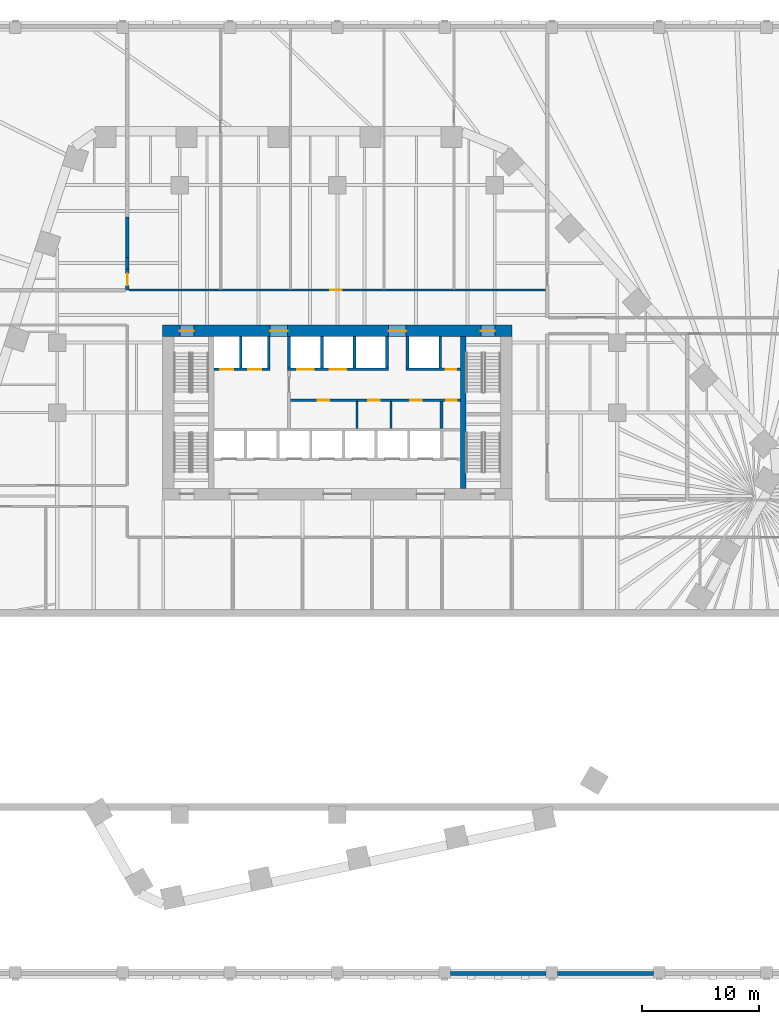
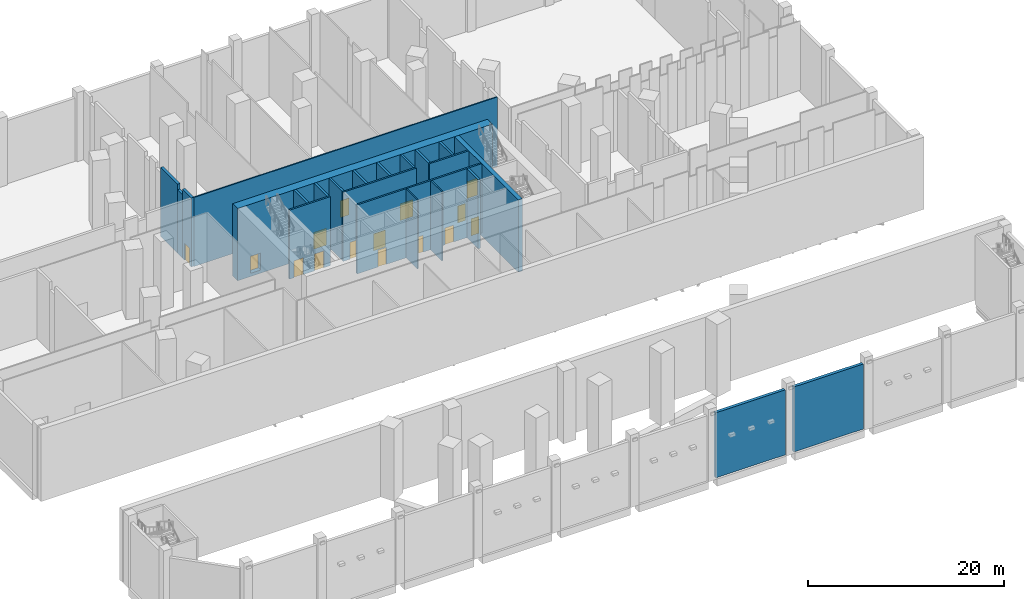
# One storey, part 8 of 23: 23 walls, 15 doors, 15 openings.
"""IFC4 building model written with IfcOpenShell, lengths in metres."""

from ifc_helpers import new_model, si_unit, direction, frame, frame_2d, origin, place, context, subcontext, project, spatial, rectangle, extrude, material, layer, layer_set, type_object, element, fill, save


model = new_model("IFC4")

# Units and contexts
model_context = context("Model", 3, precision=1e-05, world=origin(), true_north=direction((0.0, 1.0)))
body_context = subcontext(model_context, "Body", "Model", "MODEL_VIEW")
ifc_project = project(units=[si_unit("LENGTHUNIT", "METRE"), si_unit("AREAUNIT", "SQUARE_METRE"), si_unit("VOLUMEUNIT", "CUBIC_METRE"), si_unit("PLANEANGLEUNIT", "RADIAN"), si_unit("MASSUNIT", "GRAM", prefix="KILO")], contexts=[model_context])

# Site, building, storey
site_placement = place(None, origin())
site = spatial("IfcSite", under=ifc_project, at=site_placement, CompositionType="ELEMENT")
building_placement = place(site_placement, origin())
building = spatial("IfcBuilding", under=site, at=building_placement, Name="Isthmus Gate Tower", CompositionType="ELEMENT")
storey_placement = place(building_placement, frame((0.0, 0.0, 9.0)))
storey = spatial("IfcBuildingStorey", under=building, at=storey_placement, Name="L01", CompositionType="ELEMENT", Elevation=9.0)

# Wall, opening, door
ifc_material_1 = material(Name="Double-leaf gypsum board with mineral wool, resilient mounted")
ifc_layer_1 = layer(ifc_material_1, 0.300048828125)
ifc_layer_set_1 = layer_set([ifc_layer_1], Name="Acoustic studio wall 300 double leaf")
wall_type_1 = type_object("IfcWallType", Name="Acoustic studio wall 300 double leaf", PredefinedType="PARTITIONING", material=ifc_layer_set_1)
wall_1_placement = place(storey_placement, frame((-18.0, 18.0, 0.0), z_axis=(0.0, 0.0, 1.0), x_axis=(0.0, 1.0, 0.0)))
wall_1 = element("IfcWall", 1, at=wall_1_placement, inside=storey, type_object=wall_type_1, Name="Acoustic studio wall", PredefinedType="PARTITIONING", context=body_context, shape_type="SweptSolid", body=[
    extrude(rectangle(XDim=1.80712890625, YDim=0.300048828125, at=frame_2d((0.903564453125, 0.0))), origin(), (0.0, 0.0, 1.0), 8.60009765625),
])
opening_1_placement = place(wall_1_placement, frame((0.39990234375, 0.0, 0.0)))
opening_1 = element("IfcOpeningElement", 2, at=opening_1_placement, cuts=wall_1, Name="Opening DP01-07", PredefinedType="OPENING", context=body_context, shape_type="SweptSolid", body=[
    extrude(rectangle(XDim=1.0, YDim=2.10009765625, at=frame_2d((0.5, 1.050048828125))), frame((0.0, 0.159912109375, 0.0), z_axis=(0.0, -1.0, 0.0), x_axis=(1.0, 0.0, 0.0)), (0.0, 0.0, 1.0), 0.320068359375),
])
ifc_material_2 = material(Name="Acoustic steel door with perimeter seals", Category="steel")
door_type_1 = type_object("IfcDoorType", Name="Acoustic sound lock door 1000 x 2100", OperationType="SINGLE_SWING_LEFT", PredefinedType="DOOR", material=ifc_material_2)
door_1_placement = place(opening_1_placement, origin())
door_1 = element("IfcDoor", 3, at=door_1_placement, inside=storey, type_object=door_type_1, Name="Door DP01-07", OperationType="SINGLE_SWING_LEFT", OverallHeight=2.10009765625, OverallWidth=1.0, PredefinedType="DOOR", context=body_context, shape_type="SweptSolid", body=[
    extrude(rectangle(XDim=1.0, YDim=2.10009765625, at=frame_2d((0.5, 1.050048828125))), frame((0.0, 0.02490234375, 0.0), z_axis=(0.0, -1.0, 0.0), x_axis=(1.0, 0.0, 0.0)), (0.0, 0.0, 1.0), 0.050048828125),
])
fill(opening_1, door_1)

# Walls
wall_2_placement = place(storey_placement, frame((-18.0, 19.80712890625, 0.0), z_axis=(0.0, 0.0, 1.0), x_axis=(0.0, 1.0, 0.0)))
element("IfcWall", 4, at=wall_2_placement, inside=storey, type_object=wall_type_1, Name="Acoustic studio wall", PredefinedType="PARTITIONING", context=body_context, shape_type="SweptSolid", body=[
    extrude(rectangle(XDim=1.0, YDim=0.300048828125, at=frame_2d((0.5, 0.0))), origin(), (0.0, 0.0, 1.0), 7.920654296875),
])
wall_3_placement = place(storey_placement, frame((-18.0, 20.80712890625, 0.0), z_axis=(0.0, 0.0, 1.0), x_axis=(0.0, 1.0, 0.0)))
element("IfcWall", 5, at=wall_3_placement, inside=storey, type_object=wall_type_1, Name="Acoustic studio wall", PredefinedType="PARTITIONING", context=body_context, shape_type="SweptSolid", body=[
    extrude(rectangle(XDim=3.4619140625, YDim=0.300048828125, at=frame_2d((1.73095703125, 0.0))), origin(), (0.0, 0.0, 1.0), 8.60009765625),
])
ifc_material_3 = material(Name="Precast concrete C40/50, limestone-faced", Category="masonry")
ifc_layer_2 = layer(ifc_material_3, 0.35009765625)
ifc_layer_set_2 = layer_set([ifc_layer_2], Name="PODIUM CLADDING WALL 350")
wall_type_2 = type_object("IfcWallType", Name="PODIUM CLADDING WALL 350", PredefinedType="SOLIDWALL", material=ifc_layer_set_2)
wall_4_placement = place(storey_placement, frame((9.699951171875, -40.574951171875, -0.39990234375), z_axis=(0.0, 0.0, 1.0), x_axis=(1.0, 0.0, 0.0)))
element("IfcWall", 6, at=wall_4_placement, inside=storey, type_object=wall_type_2, Name="PODIUM WALL", PredefinedType="SOLIDWALL", context=body_context, shape_type="SweptSolid", body=[
    extrude(rectangle(XDim=8.199951171875, YDim=0.35009765625, at=frame_2d((4.10009765625, 0.0))), origin(), (0.0, 0.0, 1.0), 8.099853515625),
])
wall_5_placement = place(storey_placement, frame((18.89990234375, -40.574951171875, -0.39990234375), z_axis=(0.0, 0.0, 1.0), x_axis=(1.0, 0.0, 0.0)))
element("IfcWall", 7, at=wall_5_placement, inside=storey, type_object=wall_type_2, Name="PODIUM WALL", PredefinedType="SOLIDWALL", context=body_context, shape_type="SweptSolid", body=[
    extrude(rectangle(XDim=8.2001953125, YDim=0.35009765625, at=frame_2d((4.10009765625, 0.0))), origin(), (0.0, 0.0, 1.0), 8.099853515625),
])

# Wall, opening, door
ifc_material_4 = material(Name="Gypsum board on cold-formed steel studs", Category="steel")
ifc_layer_3 = layer(ifc_material_4, 0.14990234375)
ifc_layer_set_3 = layer_set([ifc_layer_3])
wall_type_3 = type_object("IfcWallType", Name="Partition 150 gypsum board on steel studs", PredefinedType="PARTITIONING", material=ifc_layer_set_3)
wall_6_placement = place(storey_placement, frame((-17.85009765625, 18.0, 0.0), z_axis=(0.0, 0.0, 1.0), x_axis=(1.0, 0.0, 0.0)))
wall_6 = element("IfcWall", 8, at=wall_6_placement, inside=storey, type_object=wall_type_3, Name="Partition", PredefinedType="PARTITIONING", context=body_context, shape_type="SweptSolid", body=[
    extrude(rectangle(XDim=35.7001953125, YDim=0.14990234375, at=frame_2d((17.85009765625, 0.0))), origin(), (0.0, 0.0, 1.0), 8.60009765625),
])
opening_2_placement = place(wall_6_placement, frame((17.25, 0.0, 0.0)))
opening_2 = element("IfcOpeningElement", 9, at=opening_2_placement, cuts=wall_6, Name="Opening DP01-27", PredefinedType="OPENING", context=body_context, shape_type="SweptSolid", body=[
    extrude(rectangle(XDim=1.0, YDim=2.10009765625, at=frame_2d((0.5, 1.050048828125))), frame((0.0, 0.0849609375, 0.0), z_axis=(0.0, -1.0, 0.0), x_axis=(1.0, 0.0, 0.0)), (0.0, 0.0, 1.0), 0.169921875),
])
ifc_material_5 = material(Name="Hollow metal frame with solid-core timber leaf", Category="wood")
door_type_2 = type_object("IfcDoorType", Name="Single swing door 1000 x 2100", OperationType="SINGLE_SWING_LEFT", PredefinedType="DOOR", material=ifc_material_5)
door_2_placement = place(opening_2_placement, origin())
door_2 = element("IfcDoor", 10, at=door_2_placement, inside=storey, type_object=door_type_2, Name="Door DP01-27", OperationType="SINGLE_SWING_LEFT", OverallHeight=2.10009765625, OverallWidth=1.0, PredefinedType="DOOR", context=body_context, shape_type="SweptSolid", body=[
    extrude(rectangle(XDim=1.0, YDim=2.10009765625, at=frame_2d((0.5, 1.050048828125))), frame((0.0, 0.02490234375, 0.0), z_axis=(0.0, -1.0, 0.0), x_axis=(1.0, 0.0, 0.0)), (0.0, 0.0, 1.0), 0.050048828125),
])
fill(opening_2, door_2)

# Wall
ifc_material_6 = material(Name="Concrete f'c 70 MPa", Category="concrete")
ifc_layer_4 = layer(ifc_material_6, 0.5)
ifc_layer_set_4 = layer_set([ifc_layer_4], Name="RC CORE SPINE WALL 500 F'C 70")
wall_type_4 = type_object("IfcWallType", Name="RC CORE SPINE WALL 500 F'C 70", PredefinedType="SOLIDWALL", material=ifc_layer_set_4)
wall_7_placement = place(storey_placement, frame((10.800048828125, 1.0, -0.39990234375), z_axis=(0.0, 0.0, 1.0), x_axis=(0.0, 1.0, 0.0)))
element("IfcWall", 11, at=wall_7_placement, inside=storey, type_object=wall_type_4, Name="str-corewall-L01-SPE", PredefinedType="SOLIDWALL", context=body_context, shape_type="SweptSolid", body=[
    extrude(rectangle(XDim=13.0, YDim=0.5, at=frame_2d((6.5, 0.0))), origin(), (0.0, 0.0, 1.0), 9.0),
])

# Wall, openings, doors
ifc_material_7 = material(Name="Concrete f'c 70 MPa", Category="concrete")
ifc_layer_5 = layer(ifc_material_7, 1.0)
ifc_layer_set_5 = layer_set([ifc_layer_5], Name="RC CORE WALL 1000 F'C 70")
wall_type_5 = type_object("IfcWallType", Name="RC CORE WALL 1000 F'C 70", PredefinedType="SOLIDWALL", material=ifc_layer_set_5)
wall_8_placement = place(storey_placement, frame((-15.0, 14.5, -0.39990234375), z_axis=(0.0, 0.0, 1.0), x_axis=(1.0, 0.0, 0.0)))
wall_8 = element("IfcWall", 12, at=wall_8_placement, inside=storey, type_object=wall_type_5, Name="str-corewall-L01-N", PredefinedType="SOLIDWALL", context=body_context, shape_type="SweptSolid", body=[
    extrude(rectangle(XDim=30.0, YDim=1.0, at=frame_2d((15.0, 0.0))), origin(), (0.0, 0.0, 1.0), 9.0),
])
opening_3_placement = place(wall_8_placement, frame((9.25, 0.0, 0.39990234375)))
opening_3 = element("IfcOpeningElement", 13, at=opening_3_placement, cuts=wall_8, Name="Opening DC-A02-11", PredefinedType="OPENING", context=body_context, shape_type="SweptSolid", body=[
    extrude(rectangle(XDim=1.5, YDim=2.10009765625, at=frame_2d((0.75, 1.050048828125))), frame((0.0, 0.510009765625, 0.0), z_axis=(0.0, -1.0, 0.0), x_axis=(1.0, 0.0, 0.0)), (0.0, 0.0, 1.0), 1.02001953125),
])
opening_4_placement = place(wall_8_placement, frame((19.39990234375, 0.0, 0.39990234375)))
opening_4 = element("IfcOpeningElement", 14, at=opening_4_placement, cuts=wall_8, Name="Opening DC-A02-12", PredefinedType="OPENING", context=body_context, shape_type="SweptSolid", body=[
    extrude(rectangle(XDim=1.5, YDim=2.10009765625, at=frame_2d((0.75, 1.050048828125))), frame((0.0, 0.510009765625, 0.0), z_axis=(0.0, -1.0, 0.0), x_axis=(1.0, 0.0, 0.0)), (0.0, 0.0, 1.0), 1.02001953125),
])
opening_5_placement = place(wall_8_placement, frame((1.5, 0.0, 0.39990234375)))
opening_5 = element("IfcOpeningElement", 15, at=opening_5_placement, cuts=wall_8, Name="Opening DC-A02-13", PredefinedType="OPENING", context=body_context, shape_type="SweptSolid", body=[
    extrude(rectangle(XDim=1.199951171875, YDim=2.10009765625, at=frame_2d((0.60009765625, 1.050048828125))), frame((0.0, 0.510009765625, 0.0), z_axis=(0.0, -1.0, 0.0), x_axis=(1.0, 0.0, 0.0)), (0.0, 0.0, 1.0), 1.02001953125),
])
opening_6_placement = place(wall_8_placement, frame((27.300048828125, 0.0, 0.39990234375)))
opening_6 = element("IfcOpeningElement", 16, at=opening_6_placement, cuts=wall_8, Name="Opening DC-A02-14", PredefinedType="OPENING", context=body_context, shape_type="SweptSolid", body=[
    extrude(rectangle(XDim=1.199951171875, YDim=2.10009765625, at=frame_2d((0.60009765625, 1.050048828125))), frame((0.0, 0.510009765625, 0.0), z_axis=(0.0, -1.0, 0.0), x_axis=(1.0, 0.0, 0.0)), (0.0, 0.0, 1.0), 1.02001953125),
])
ifc_material_8 = material(Name="Steel door leaf, fire-rated", Category="steel")
door_type_3 = type_object("IfcDoorType", Name="LOBBY FIRE DOOR 1500 X 2100 60 MIN", OperationType="DOUBLE_DOOR_SINGLE_SWING", PredefinedType="DOOR", material=ifc_material_8)
door_3_placement = place(opening_4_placement, origin())
door_3 = element("IfcDoor", 17, at=door_3_placement, inside=storey, type_object=door_type_3, Name="Lobby Door PN-E", OperationType="DOUBLE_DOOR_SINGLE_SWING", OverallHeight=2.10009765625, OverallWidth=1.5, PredefinedType="DOOR", context=body_context, shape_type="SweptSolid", body=[
    extrude(rectangle(XDim=1.5, YDim=2.10009765625, at=frame_2d((0.75, 1.050048828125))), frame((0.0, 0.02490234375, 0.0), z_axis=(0.0, -1.0, 0.0), x_axis=(1.0, 0.0, 0.0)), (0.0, 0.0, 1.0), 0.050048828125),
])
fill(opening_4, door_3)
ifc_material_9 = material(Name="Steel door leaf, fire-rated", Category="steel")
door_type_4 = type_object("IfcDoorType", Name="LOBBY FIRE DOOR 1500 X 2100 90 MIN", OperationType="DOUBLE_DOOR_SINGLE_SWING", PredefinedType="DOOR", material=ifc_material_9)
door_4_placement = place(opening_3_placement, origin())
door_4 = element("IfcDoor", 18, at=door_4_placement, inside=storey, type_object=door_type_4, Name="Lobby Door PN-W", OperationType="DOUBLE_DOOR_SINGLE_SWING", OverallHeight=2.10009765625, OverallWidth=1.5, PredefinedType="DOOR", context=body_context, shape_type="SweptSolid", body=[
    extrude(rectangle(XDim=1.5, YDim=2.10009765625, at=frame_2d((0.75, 1.050048828125))), frame((0.0, 0.02490234375, 0.0), z_axis=(0.0, -1.0, 0.0), x_axis=(1.0, 0.0, 0.0)), (0.0, 0.0, 1.0), 0.050048828125),
])
fill(opening_3, door_4)
ifc_material_10 = material(Name="Steel door leaf, fire-rated", Category="steel")
door_type_5 = type_object("IfcDoorType", Name="STAIR FIRE DOOR 1200 X 2100 90 MIN", OperationType="SINGLE_SWING_LEFT", PredefinedType="DOOR", material=ifc_material_10)
door_5_placement = place(opening_5_placement, origin())
door_5 = element("IfcDoor", 19, at=door_5_placement, inside=storey, type_object=door_type_5, Name="Exit Stair 1 Door", OperationType="SINGLE_SWING_RIGHT", OverallHeight=2.10009765625, OverallWidth=1.199951171875, PredefinedType="DOOR", context=body_context, shape_type="SweptSolid", body=[
    extrude(rectangle(XDim=1.199951171875, YDim=2.10009765625, at=frame_2d((0.60009765625, 1.050048828125))), frame((0.0, 0.02490234375, 0.0), z_axis=(0.0, -1.0, 0.0), x_axis=(1.0, 0.0, 0.0)), (0.0, 0.0, 1.0), 0.050048828125),
])
fill(opening_5, door_5)
door_6_placement = place(opening_6_placement, origin())
door_6 = element("IfcDoor", 20, at=door_6_placement, inside=storey, type_object=door_type_5, Name="Exit Stair 2 Door", OperationType="SINGLE_SWING_LEFT", OverallHeight=2.10009765625, OverallWidth=1.199951171875, PredefinedType="DOOR", context=body_context, shape_type="SweptSolid", body=[
    extrude(rectangle(XDim=1.199951171875, YDim=2.10009765625, at=frame_2d((0.60009765625, 1.050048828125))), frame((0.0, 0.02490234375, 0.0), z_axis=(0.0, -1.0, 0.0), x_axis=(1.0, 0.0, 0.0)), (0.0, 0.0, 1.0), 0.050048828125),
])
fill(opening_6, door_6)

# Walls
ifc_material_11 = material(Name="Gypsum board on steel studs, fire-rated", Category="steel")
ifc_layer_6 = layer(ifc_material_11, 0.14990234375)
ifc_layer_set_6 = layer_set([ifc_layer_6], Name="ROOM PARTITION 150 60 MIN")
wall_type_6 = type_object("IfcWallType", Name="ROOM PARTITION 150 60 MIN", PredefinedType="PARTITIONING", material=ifc_layer_set_6)
for number, where, z_axis, x_axis, name in (
    (21, (1.699951171875, 6.14990234375, 0.0), (0.0, 0.0, 1.0), (0.0, 1.0, 0.0), "L01 ROOM PARTITION 150 60 MIN"),
    (22, (4.60009765625, 6.14990234375, 0.0), (0.0, 0.0, 1.0), (0.0, 1.0, 0.0), "L01 ROOM PARTITION 150 60 MIN"),
):
    element("IfcWall", number, at=place(storey_placement, frame(where, z_axis=z_axis, x_axis=x_axis)), inside=storey, type_object=wall_type_6, Name=name, PredefinedType="PARTITIONING", context=body_context, shape_type="SweptSolid", body=[
        extrude(rectangle(XDim=2.300048828125, YDim=0.14990234375, at=frame_2d((1.14990234375, 0.0))), origin(), (0.0, 0.0, 1.0), 8.60009765625),
    ])

# Wall, openings, doors
ifc_material_12 = material(Name="Fire-rated blockwork masonry, 15 MPa", Category="masonry")
ifc_layer_7 = layer(ifc_material_12, 0.199951171875)
ifc_layer_set_7 = layer_set([ifc_layer_7], Name="SHAFT FRONT WALL 200 120 MIN")
wall_type_7 = type_object("IfcWallType", Name="SHAFT FRONT WALL 200 120 MIN", PredefinedType="PARTITIONING", material=ifc_layer_set_7)
wall_9_placement = place(storey_placement, frame((-4.125, 8.550048828125, 0.0), z_axis=(0.0, 0.0, 1.0), x_axis=(1.0, 0.0, 0.0)))
wall_9 = element("IfcWall", 23, at=wall_9_placement, inside=storey, type_object=wall_type_7, Name="L01 SHAFT FRONT WALL 200 120 MIN", PredefinedType="PARTITIONING", context=body_context, shape_type="SweptSolid", body=[
    extrude(rectangle(XDim=14.675048828125, YDim=0.199951171875, at=frame_2d((7.33740234375, 0.0))), origin(), (0.0, 0.0, 1.0), 8.60009765625),
])
opening_7_placement = place(wall_9_placement, frame((2.4375, 0.0, 0.0)))
opening_7 = element("IfcOpeningElement", 24, at=opening_7_placement, cuts=wall_9, Name="Opening DC-A02-03", PredefinedType="OPENING", context=body_context, shape_type="SweptSolid", body=[
    extrude(rectangle(XDim=1.0, YDim=2.10009765625, at=frame_2d((0.5, 1.050048828125))), frame((0.0, 0.10986328125, 0.0), z_axis=(0.0, -1.0, 0.0), x_axis=(1.0, 0.0, 0.0)), (0.0, 0.0, 1.0), 0.219970703125),
])
opening_8_placement = place(wall_9_placement, frame((6.77490234375, 0.0, 0.0)))
opening_8 = element("IfcOpeningElement", 25, at=opening_8_placement, cuts=wall_9, Name="Opening DC-A02-04", PredefinedType="OPENING", context=body_context, shape_type="SweptSolid", body=[
    extrude(rectangle(XDim=1.0, YDim=2.10009765625, at=frame_2d((0.5, 1.050048828125))), frame((0.0, 0.10986328125, 0.0), z_axis=(0.0, -1.0, 0.0), x_axis=(1.0, 0.0, 0.0)), (0.0, 0.0, 1.0), 0.219970703125),
])
opening_9_placement = place(wall_9_placement, frame((10.362548828125, 0.0, 0.0)))
opening_9 = element("IfcOpeningElement", 26, at=opening_9_placement, cuts=wall_9, Name="Opening DC-A02-05", PredefinedType="OPENING", context=body_context, shape_type="SweptSolid", body=[
    extrude(rectangle(XDim=1.0, YDim=2.10009765625, at=frame_2d((0.5, 1.050048828125))), frame((0.0, 0.10986328125, 0.0), z_axis=(0.0, -1.0, 0.0), x_axis=(1.0, 0.0, 0.0)), (0.0, 0.0, 1.0), 0.219970703125),
])
opening_10_placement = place(wall_9_placement, frame((13.47509765625, 0.0, 0.0)))
opening_10 = element("IfcOpeningElement", 27, at=opening_10_placement, cuts=wall_9, Name="Opening DC-A02-06", PredefinedType="OPENING", context=body_context, shape_type="SweptSolid", body=[
    extrude(rectangle(XDim=0.89990234375, YDim=2.10009765625, at=frame_2d((0.449951171875, 1.050048828125))), frame((0.0, 0.10986328125, 0.0), z_axis=(0.0, -1.0, 0.0), x_axis=(1.0, 0.0, 0.0)), (0.0, 0.0, 1.0), 0.219970703125),
])
ifc_material_13 = material(Name="Steel door leaf, fire-rated", Category="steel")
door_type_6 = type_object("IfcDoorType", Name="FIRE DOOR 1000 X 2100 60 MIN", OperationType="SINGLE_SWING_LEFT", PredefinedType="DOOR", material=ifc_material_13)
door_7_placement = place(opening_7_placement, origin())
door_7 = element("IfcDoor", 28, at=door_7_placement, inside=storey, type_object=door_type_6, Name="WC Women Door", OperationType="SINGLE_SWING_LEFT", OverallHeight=2.10009765625, OverallWidth=1.0, PredefinedType="DOOR", context=body_context, shape_type="SweptSolid", body=[
    extrude(rectangle(XDim=1.0, YDim=2.10009765625, at=frame_2d((0.5, 1.050048828125))), frame((0.0, 0.02490234375, 0.0), z_axis=(0.0, -1.0, 0.0), x_axis=(1.0, 0.0, 0.0)), (0.0, 0.0, 1.0), 0.050048828125),
])
fill(opening_7, door_7)
door_8_placement = place(opening_8_placement, origin())
door_8 = element("IfcDoor", 29, at=door_8_placement, inside=storey, type_object=door_type_6, Name="Accessible WC Door", OperationType="SINGLE_SWING_RIGHT", OverallHeight=2.10009765625, OverallWidth=1.0, PredefinedType="DOOR", context=body_context, shape_type="SweptSolid", body=[
    extrude(rectangle(XDim=1.0, YDim=2.10009765625, at=frame_2d((0.5, 1.050048828125))), frame((0.0, 0.02490234375, 0.0), z_axis=(0.0, -1.0, 0.0), x_axis=(1.0, 0.0, 0.0)), (0.0, 0.0, 1.0), 0.050048828125),
])
fill(opening_8, door_8)
door_9_placement = place(opening_9_placement, origin())
door_9 = element("IfcDoor", 30, at=door_9_placement, inside=storey, type_object=door_type_6, Name="WC Men Door", OperationType="SINGLE_SWING_LEFT", OverallHeight=2.10009765625, OverallWidth=1.0, PredefinedType="DOOR", context=body_context, shape_type="SweptSolid", body=[
    extrude(rectangle(XDim=1.0, YDim=2.10009765625, at=frame_2d((0.5, 1.050048828125))), frame((0.0, 0.02490234375, 0.0), z_axis=(0.0, -1.0, 0.0), x_axis=(1.0, 0.0, 0.0)), (0.0, 0.0, 1.0), 0.050048828125),
])
fill(opening_9, door_9)
ifc_material_14 = material(Name="Steel door leaf, fire-rated", Category="steel")
door_type_7 = type_object("IfcDoorType", Name="RISER FIRE DOOR 900 X 2100 90 MIN", OperationType="SINGLE_SWING_LEFT", PredefinedType="DOOR", material=ifc_material_14)
door_10_placement = place(opening_10_placement, origin())
door_10 = element("IfcDoor", 31, at=door_10_placement, inside=storey, type_object=door_type_7, Name="Riser Door", OperationType="SINGLE_SWING_RIGHT", OverallHeight=2.10009765625, OverallWidth=0.89990234375, PredefinedType="DOOR", context=body_context, shape_type="SweptSolid", body=[
    extrude(rectangle(XDim=0.89990234375, YDim=2.10009765625, at=frame_2d((0.449951171875, 1.050048828125))), frame((0.0, 0.02490234375, 0.0), z_axis=(0.0, -1.0, 0.0), x_axis=(1.0, 0.0, 0.0)), (0.0, 0.0, 1.0), 0.050048828125),
])
fill(opening_10, door_10)

wall_10_placement = place(storey_placement, frame((-10.550048828125, 11.199951171875, 0.0), z_axis=(0.0, 0.0, 1.0), x_axis=(1.0, 0.0, 0.0)))
wall_10 = element("IfcWall", 32, at=wall_10_placement, inside=storey, type_object=wall_type_7, Name="L01 SHAFT FRONT WALL 200 120 MIN", PredefinedType="PARTITIONING", context=body_context, shape_type="SweptSolid", body=[
    extrude(rectangle(XDim=4.800048828125, YDim=0.199951171875, at=frame_2d((2.39990234375, 0.0))), origin(), (0.0, 0.0, 1.0), 8.60009765625),
])
opening_11_placement = place(wall_10_placement, frame((0.52490234375, 0.0, 0.0)))
opening_11 = element("IfcOpeningElement", 33, at=opening_11_placement, cuts=wall_10, Name="Opening LD-LF1", PredefinedType="OPENING", context=body_context, shape_type="SweptSolid", body=[
    extrude(rectangle(XDim=1.10009765625, YDim=2.10009765625, at=frame_2d((0.550048828125, 1.050048828125))), frame((0.0, 0.10986328125, 0.0), z_axis=(0.0, -1.0, 0.0), x_axis=(1.0, 0.0, 0.0)), (0.0, 0.0, 1.0), 0.219970703125),
])
opening_12_placement = place(wall_10_placement, frame((2.925048828125, 0.0, 0.0)))
opening_12 = element("IfcOpeningElement", 34, at=opening_12_placement, cuts=wall_10, Name="Opening LD-LF2", PredefinedType="OPENING", context=body_context, shape_type="SweptSolid", body=[
    extrude(rectangle(XDim=1.10009765625, YDim=2.10009765625, at=frame_2d((0.550048828125, 1.050048828125))), frame((0.0, 0.10986328125, 0.0), z_axis=(0.0, -1.0, 0.0), x_axis=(1.0, 0.0, 0.0)), (0.0, 0.0, 1.0), 0.219970703125),
])
ifc_material_15 = material(Name="Stainless steel sliding leaf", Category="steel")
door_type_8 = type_object("IfcDoorType", Name="LIFT LANDING FIRE DOOR 1100 X 2100 90 MIN", OperationType="DOUBLE_DOOR_SLIDING", PredefinedType="DOOR", material=ifc_material_15)
door_11_placement = place(opening_11_placement, origin())
door_11 = element("IfcDoor", 35, at=door_11_placement, inside=storey, type_object=door_type_8, Name="Lift Landing Door LF1", OperationType="DOUBLE_DOOR_SLIDING", OverallHeight=2.10009765625, OverallWidth=1.10009765625, PredefinedType="DOOR", context=body_context, shape_type="SweptSolid", body=[
    extrude(rectangle(XDim=1.10009765625, YDim=2.10009765625, at=frame_2d((0.550048828125, 1.050048828125))), frame((0.0, 0.02490234375, 0.0), z_axis=(0.0, -1.0, 0.0), x_axis=(1.0, 0.0, 0.0)), (0.0, 0.0, 1.0), 0.050048828125),
])
fill(opening_11, door_11)
door_12_placement = place(opening_12_placement, origin())
door_12 = element("IfcDoor", 36, at=door_12_placement, inside=storey, type_object=door_type_8, Name="Lift Landing Door LF2", OperationType="DOUBLE_DOOR_SLIDING", OverallHeight=2.10009765625, OverallWidth=1.10009765625, PredefinedType="DOOR", context=body_context, shape_type="SweptSolid", body=[
    extrude(rectangle(XDim=1.10009765625, YDim=2.10009765625, at=frame_2d((0.550048828125, 1.050048828125))), frame((0.0, 0.02490234375, 0.0), z_axis=(0.0, -1.0, 0.0), x_axis=(1.0, 0.0, 0.0)), (0.0, 0.0, 1.0), 0.050048828125),
])
fill(opening_12, door_12)

wall_11_placement = place(storey_placement, frame((-4.25, 11.199951171875, 0.0), z_axis=(0.0, 0.0, 1.0), x_axis=(1.0, 0.0, 0.0)))
wall_11 = element("IfcWall", 37, at=wall_11_placement, inside=storey, type_object=wall_type_7, Name="L01 SHAFT FRONT WALL 200 120 MIN", PredefinedType="PARTITIONING", context=body_context, shape_type="SweptSolid", body=[
    extrude(rectangle(XDim=8.64990234375, YDim=0.199951171875, at=frame_2d((4.324951171875, 0.0))), origin(), (0.0, 0.0, 1.0), 8.60009765625),
])
opening_13_placement = place(wall_11_placement, frame((0.824951171875, 0.0, 0.0)))
opening_13 = element("IfcOpeningElement", 38, at=opening_13_placement, cuts=wall_11, Name="Opening LD-LV1", PredefinedType="OPENING", context=body_context, shape_type="SweptSolid", body=[
    extrude(rectangle(XDim=1.39990234375, YDim=2.10009765625, at=frame_2d((0.699951171875, 1.050048828125))), frame((0.0, 0.10986328125, 0.0), z_axis=(0.0, -1.0, 0.0), x_axis=(1.0, 0.0, 0.0)), (0.0, 0.0, 1.0), 0.219970703125),
])
opening_14_placement = place(wall_11_placement, frame((3.625, 0.0, 0.0)))
opening_14 = element("IfcOpeningElement", 39, at=opening_14_placement, cuts=wall_11, Name="Opening LD-LV2", PredefinedType="OPENING", context=body_context, shape_type="SweptSolid", body=[
    extrude(rectangle(XDim=1.39990234375, YDim=2.10009765625, at=frame_2d((0.699951171875, 1.050048828125))), frame((0.0, 0.10986328125, 0.0), z_axis=(0.0, -1.0, 0.0), x_axis=(1.0, 0.0, 0.0)), (0.0, 0.0, 1.0), 0.219970703125),
])
ifc_material_16 = material(Name="Stainless steel sliding leaf", Category="steel")
door_type_9 = type_object("IfcDoorType", Name="LIFT LANDING FIRE DOOR 1400 X 2100 90 MIN", OperationType="DOUBLE_DOOR_SLIDING", PredefinedType="DOOR", material=ifc_material_16)
door_13_placement = place(opening_13_placement, origin())
door_13 = element("IfcDoor", 40, at=door_13_placement, inside=storey, type_object=door_type_9, Name="Lift Landing Door LV1", OperationType="DOUBLE_DOOR_SLIDING", OverallHeight=2.10009765625, OverallWidth=1.39990234375, PredefinedType="DOOR", context=body_context, shape_type="SweptSolid", body=[
    extrude(rectangle(XDim=1.39990234375, YDim=2.10009765625, at=frame_2d((0.699951171875, 1.050048828125))), frame((0.0, 0.02490234375, 0.0), z_axis=(0.0, -1.0, 0.0), x_axis=(1.0, 0.0, 0.0)), (0.0, 0.0, 1.0), 0.050048828125),
])
fill(opening_13, door_13)
door_14_placement = place(opening_14_placement, origin())
door_14 = element("IfcDoor", 41, at=door_14_placement, inside=storey, type_object=door_type_9, Name="Lift Landing Door LV2", OperationType="DOUBLE_DOOR_SLIDING", OverallHeight=2.10009765625, OverallWidth=1.39990234375, PredefinedType="DOOR", context=body_context, shape_type="SweptSolid", body=[
    extrude(rectangle(XDim=1.39990234375, YDim=2.10009765625, at=frame_2d((0.699951171875, 1.050048828125))), frame((0.0, 0.02490234375, 0.0), z_axis=(0.0, -1.0, 0.0), x_axis=(1.0, 0.0, 0.0)), (0.0, 0.0, 1.0), 0.050048828125),
])
fill(opening_14, door_14)

# Wall, opening, door
wall_12_placement = place(storey_placement, frame((5.89990234375, 11.199951171875, 0.0), z_axis=(0.0, 0.0, 1.0), x_axis=(1.0, 0.0, 0.0)))
wall_12 = element("IfcWall", 42, at=wall_12_placement, inside=storey, type_object=wall_type_7, Name="L01 SHAFT FRONT WALL 200 120 MIN", PredefinedType="PARTITIONING", context=body_context, shape_type="SweptSolid", body=[
    extrude(rectangle(XDim=4.650146484375, YDim=0.199951171875, at=frame_2d((2.3251953125, 0.0))), origin(), (0.0, 0.0, 1.0), 8.60009765625),
])
opening_15_placement = place(wall_12_placement, frame((3.39990234375, 0.0, 0.0)))
opening_15 = element("IfcOpeningElement", 43, at=opening_15_placement, cuts=wall_12, Name="Opening DC-A02-07", PredefinedType="OPENING", context=body_context, shape_type="SweptSolid", body=[
    extrude(rectangle(XDim=0.89990234375, YDim=2.10009765625, at=frame_2d((0.449951171875, 1.050048828125))), frame((0.0, 0.10986328125, 0.0), z_axis=(0.0, -1.0, 0.0), x_axis=(1.0, 0.0, 0.0)), (0.0, 0.0, 1.0), 0.219970703125),
])
door_15_placement = place(opening_15_placement, origin())
door_15 = element("IfcDoor", 44, at=door_15_placement, inside=storey, type_object=door_type_7, Name="Riser Door", OperationType="SINGLE_SWING_LEFT", OverallHeight=2.10009765625, OverallWidth=0.89990234375, PredefinedType="DOOR", context=body_context, shape_type="SweptSolid", body=[
    extrude(rectangle(XDim=0.89990234375, YDim=2.10009765625, at=frame_2d((0.449951171875, 1.050048828125))), frame((0.0, 0.02490234375, 0.0), z_axis=(0.0, -1.0, 0.0), x_axis=(1.0, 0.0, 0.0)), (0.0, 0.0, 1.0), 0.050048828125),
])
fill(opening_15, door_15)

# Walls
ifc_material_17 = material(Name="Fire-rated blockwork masonry, 15 MPa", Category="masonry")
ifc_layer_8 = layer(ifc_material_17, 0.25)
ifc_layer_set_8 = layer_set([ifc_layer_8], Name="SHAFT WALL 250 120 MIN")
wall_type_8 = type_object("IfcWallType", Name="SHAFT WALL 250 120 MIN", PredefinedType="PARTITIONING", material=ifc_layer_set_8)
wall_13_placement = place(storey_placement, frame((8.925048828125, 6.14990234375, 0.0), z_axis=(0.0, 0.0, 1.0), x_axis=(0.0, 1.0, 0.0)))
element("IfcWall", 45, at=wall_13_placement, inside=storey, type_object=wall_type_8, Name="L01 SHAFT WALL 250 120 MIN", PredefinedType="PARTITIONING", context=body_context, shape_type="SweptSolid", body=[
    extrude(rectangle(XDim=2.300048828125, YDim=0.25, at=frame_2d((1.14990234375, 0.0))), origin(), (0.0, 0.0, 1.0), 8.60009765625),
])
for number, where, z_axis, x_axis, name in (
    (46, (-8.27490234375, 11.300048828125, 0.0), (0.0, 0.0, 1.0), (0.0, 1.0, 0.0), "L01 SHAFT WALL 250 120 MIN"),
    (47, (-5.875, 11.300048828125, 0.0), (0.0, 0.0, 1.0), (0.0, 1.0, 0.0), "L01 SHAFT WALL 250 120 MIN"),
    (48, (-4.125, 11.300048828125, 0.0), (0.0, 0.0, 1.0), (0.0, 1.0, 0.0), "L01 SHAFT WALL 250 120 MIN"),
    (49, (-1.324951171875, 11.300048828125, 0.0), (0.0, 0.0, 1.0), (0.0, 1.0, 0.0), "L01 SHAFT WALL 250 120 MIN"),
    (50, (1.47509765625, 11.300048828125, 0.0), (0.0, 0.0, 1.0), (0.0, 1.0, 0.0), "L01 SHAFT WALL 250 120 MIN"),
    (51, (4.27490234375, 11.300048828125, 0.0), (0.0, 0.0, 1.0), (0.0, 1.0, 0.0), "L01 SHAFT WALL 250 120 MIN"),
    (52, (6.02490234375, 11.300048828125, 0.0), (0.0, 0.0, 1.0), (0.0, 1.0, 0.0), "L01 SHAFT WALL 250 120 MIN"),
    (53, (8.824951171875, 11.300048828125, 0.0), (0.0, 0.0, 1.0), (0.0, 1.0, 0.0), "L01 SHAFT WALL 250 120 MIN"),
):
    element("IfcWall", number, at=place(storey_placement, frame(where, z_axis=z_axis, x_axis=x_axis)), inside=storey, type_object=wall_type_8, Name=name, PredefinedType="PARTITIONING", context=body_context, shape_type="SweptSolid", body=[
        extrude(rectangle(XDim=2.699951171875, YDim=0.25, at=frame_2d((1.35009765625, 0.0))), origin(), (0.0, 0.0, 1.0), 8.60009765625),
    ])

save(model, "model.ifc")
